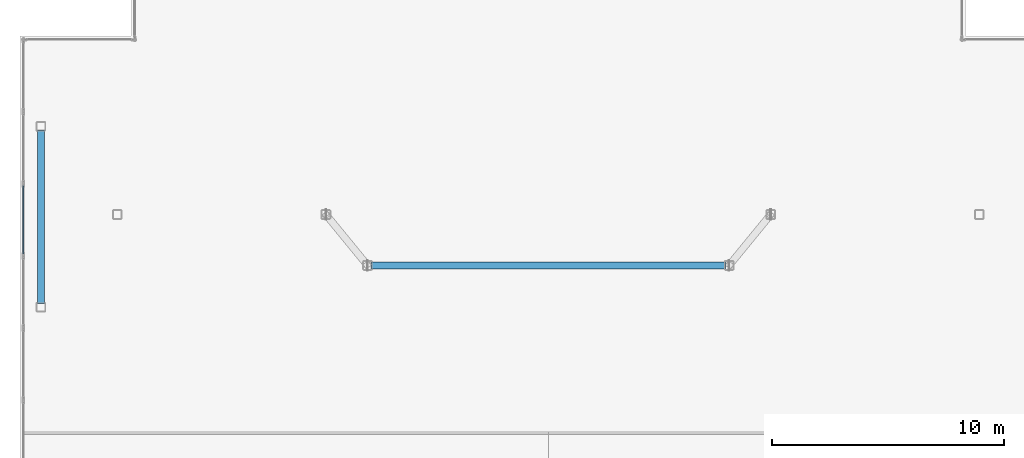
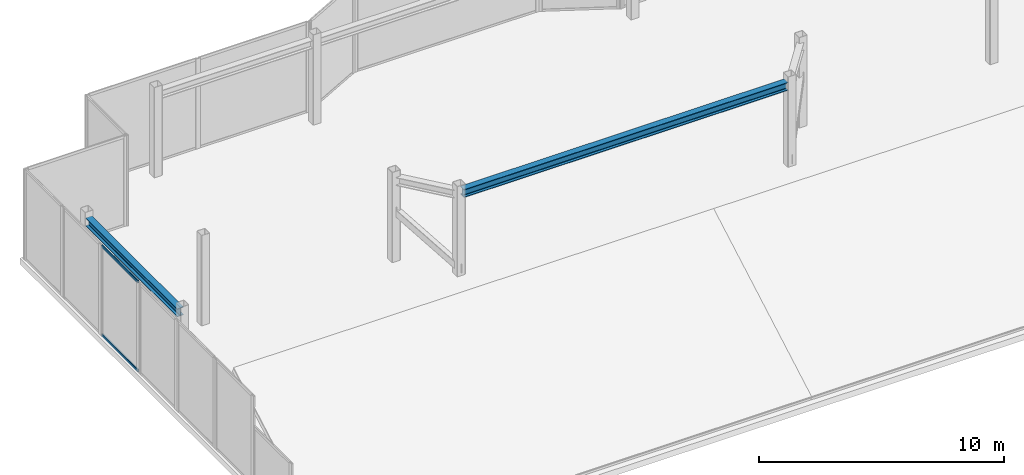
# One storey, part 3 of 12: 2 beams, 2 members, 1 element without a shape of its own.
"""IFC4 building model written with IfcOpenShell, lengths in metres."""

from ifc_helpers import new_model, si_unit, direction, frame, origin, origin_2d, place, context, subcontext, project, spatial, hollow_rectangle, i_section, extrude, material, layer, layer_set, material_profile, profile_set, type_object, element, aggregate, save


model = new_model("IFC4")

# Units and contexts
model_context = context("Model", 3, precision=1e-05, world=origin(), true_north=direction((0.0, 1.0)))
body_context = subcontext(model_context, "Body", "Model", "MODEL_VIEW")
ifc_project = project(units=[si_unit("LENGTHUNIT", "METRE"), si_unit("AREAUNIT", "SQUARE_METRE"), si_unit("VOLUMEUNIT", "CUBIC_METRE"), si_unit("PLANEANGLEUNIT", "RADIAN"), si_unit("MASSUNIT", "GRAM", prefix="KILO")], contexts=[model_context])

# Site, building, storey
site_placement = place(None, origin())
site = spatial("IfcSite", under=ifc_project, at=site_placement, CompositionType="ELEMENT")
building_placement = place(site_placement, origin())
building = spatial("IfcBuilding", under=site, at=building_placement, Name="Tarnavaz Court Tower", CompositionType="ELEMENT")
storey_placement = place(building_placement, frame((0.0, 0.0, 299.550048828125)))
storey = spatial("IfcBuildingStorey", under=building, at=storey_placement, Name="C05", CompositionType="ELEMENT", Elevation=299.550048828125)

# Beams
ifc_material_1 = material(Name="Steel S355", Category="steel")
ifc_material_profile_1 = material_profile(ifc_material_1, i_section(OverallWidth=0.300048828125, OverallDepth=0.39990234375, WebThickness=0.013427734375, FlangeThickness=0.02392578125, FilletRadius=0.027099609375, at=origin_2d()), Name="HEB 400")
ifc_profile_set_1 = profile_set([ifc_material_profile_1], Name="Steel S355")
beam_type = type_object("IfcBeamType", Name="BM-G-HEB400", PredefinedType="USERDEFINED", material=ifc_profile_set_1)
beam_1_placement = place(storey_placement, frame((-7.64990234375, 7.800048828125, 4.0), z_axis=(1.0, 0.0, 0.0), x_axis=(0.0, 1.0, 0.0)))
element("IfcBeam", 1, at=beam_1_placement, inside=storey, type_object=beam_type, Name="C05 Beam CRG-IW-NW-IW-NE", ObjectType="GIRDER", PredefinedType="USERDEFINED", context=body_context, shape_type="SweptSolid", body=[
    extrude(i_section(OverallWidth=0.300048828125, OverallDepth=0.39990234375, WebThickness=0.013427734375, FlangeThickness=0.02392578125, FilletRadius=0.027099609375, at=origin_2d()), origin(), (0.0, 0.0, 1.0), 15.2998046875),
])
beam_2_placement = place(storey_placement, frame((-21.89990234375, 6.14990234375, 4.0), z_axis=(0.0, 1.0, 0.0), x_axis=(-1.0, 0.0, 0.0)))
element("IfcBeam", 2, at=beam_2_placement, inside=storey, type_object=beam_type, Name="C05 Beam CRG-PW-3-PW-4", ObjectType="GIRDER", PredefinedType="USERDEFINED", context=body_context, shape_type="SweptSolid", body=[
    extrude(i_section(OverallWidth=0.300048828125, OverallDepth=0.39990234375, WebThickness=0.013427734375, FlangeThickness=0.02392578125, FilletRadius=0.027099609375, at=origin_2d()), origin(), (0.0, 0.0, 1.0), 7.5),
])

# Curtain wall, members
ifc_material_2 = material(Name="Anodised Aluminium 6063-T6 and Solar Low-E Glazing", Category="aluminium")
ifc_layer = layer(ifc_material_2, 0.2099609375)
ifc_layer_set = layer_set([ifc_layer], Name="Anodised Aluminium 6063-T6 and Solar Low-E Glazing")
curtain_wall_type = type_object("IfcCurtainWallType", Name="CW-SYS-06", PredefinedType="NOTDEFINED", material=ifc_layer_set)
curtain_wall_placement = place(storey_placement, origin())
curtain_wall = element("IfcCurtainWall", 3, at=curtain_wall_placement, inside=storey, type_object=curtain_wall_type, Name="C05 Slanted Crown Terracotta Curtain Wall 23", PredefinedType="NOTDEFINED")
ifc_material_3 = material(Name="Anodised Aluminium 6063-T6", Category="aluminium")
ifc_material_profile_2 = material_profile(ifc_material_3, hollow_rectangle(XDim=0.06494140625, YDim=0.139892578125, WallThickness=0.00390625, InnerFilletRadius=0.00390625, OuterFilletRadius=0.008056640625, at=origin_2d()), Name="ALU RHS 140X65X4")
ifc_profile_set_2 = profile_set([ifc_material_profile_2], Name="Anodised Aluminium 6063-T6")
member_type = type_object("IfcMemberType", Name="CW-TRN-140", PredefinedType="USERDEFINED", material=ifc_profile_set_2)
member_1_placement = place(storey_placement, frame((-22.64990234375, 8.297607421875, 0.032470703125), z_axis=(0.0, 1.0, 0.0), x_axis=(-1.0, 0.0, 0.0)))
member_1 = element("IfcMember", 4, at=member_1_placement, type_object=member_type, Name="CW transom 1.1", ObjectType="TRANSOM", PredefinedType="USERDEFINED", context=body_context, shape_type="SweptSolid", body=[
    extrude(hollow_rectangle(XDim=0.06494140625, YDim=0.139892578125, WallThickness=0.00390625, InnerFilletRadius=0.00390625, OuterFilletRadius=0.008056640625, at=origin_2d()), origin(), (0.0, 0.0, 1.0), 2.9423828125),
])
member_2_placement = place(storey_placement, frame((-22.64990234375, 8.297607421875, 4.467529296875), z_axis=(0.0, 1.0, 0.0), x_axis=(-1.0, 0.0, 0.0)))
member_2 = element("IfcMember", 5, at=member_2_placement, type_object=member_type, Name="CW transom 1.2", ObjectType="TRANSOM", PredefinedType="USERDEFINED", context=body_context, shape_type="SweptSolid", body=[
    extrude(hollow_rectangle(XDim=0.06494140625, YDim=0.139892578125, WallThickness=0.00390625, InnerFilletRadius=0.00390625, OuterFilletRadius=0.008056640625, at=origin_2d()), origin(), (0.0, 0.0, 1.0), 2.9423828125),
])
aggregate(curtain_wall, [member_1, member_2])

save(model, "model.ifc")
